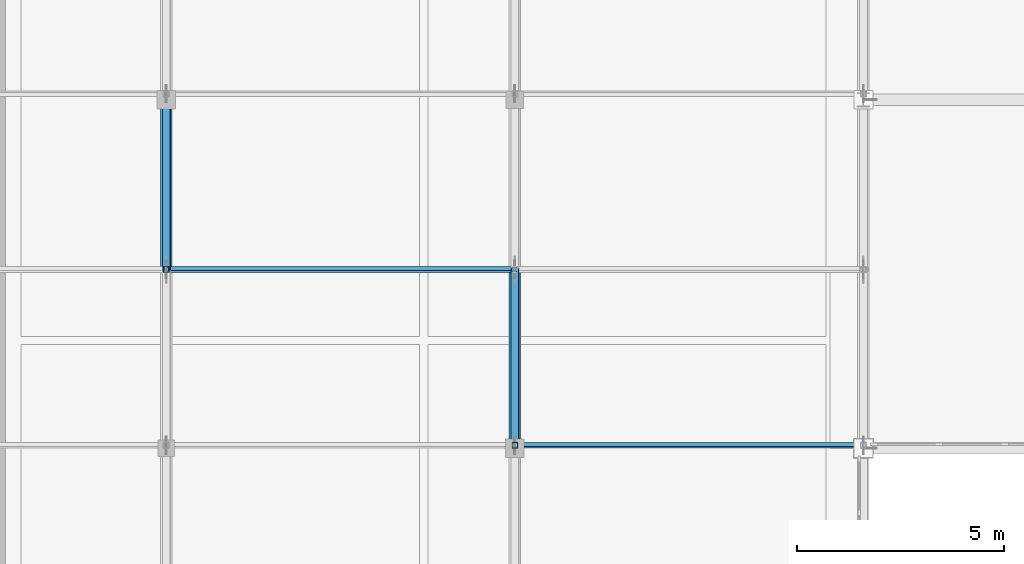
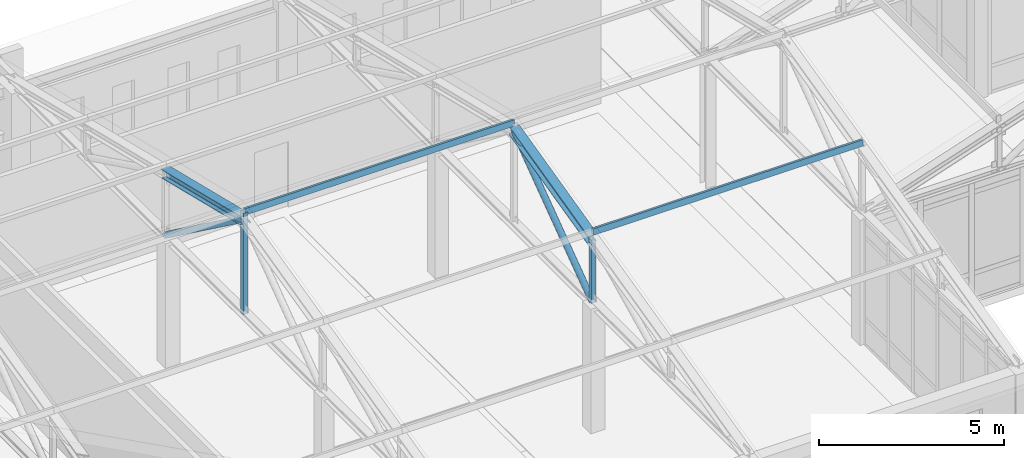
# One storey, part 29 of 192: 8 members.
"""IFC4 building model written with IfcOpenShell, lengths in metres."""

from ifc_helpers import new_model, si_unit, direction, frame, origin, origin_2d, place, context, subcontext, project, spatial, hollow_rectangle, hollow_circle, i_section, extrude, material, material_profile, profile_set, type_object, element, save


model = new_model("IFC4")

# Units and contexts
model_context = context("Model", 3, precision=1e-05, world=origin(), true_north=direction((0.0, 1.0)))
body_context = subcontext(model_context, "Body", "Model", "MODEL_VIEW")
ifc_project = project(units=[si_unit("LENGTHUNIT", "METRE"), si_unit("AREAUNIT", "SQUARE_METRE"), si_unit("VOLUMEUNIT", "CUBIC_METRE"), si_unit("PLANEANGLEUNIT", "RADIAN"), si_unit("MASSUNIT", "GRAM", prefix="KILO")], contexts=[model_context])

# Site, building, storey
site_placement = place(None, origin())
site = spatial("IfcSite", under=ifc_project, at=site_placement, CompositionType="ELEMENT")
building_placement = place(site_placement, origin())
building = spatial("IfcBuilding", under=site, at=building_placement, Name="Kveldsbrygga Polytechnic", CompositionType="ELEMENT")
storey_placement = place(building_placement, frame((0.0, 0.0, 5.43994140625)))
storey = spatial("IfcBuildingStorey", under=building, at=storey_placement, Name="L01", CompositionType="ELEMENT", Elevation=5.43994140625)

# Members
ifc_material = material(Name="Steel S355", Category="steel")
ifc_material_profile_1 = material_profile(ifc_material, hollow_rectangle(XDim=0.10009765625, YDim=0.179931640625, WallThickness=0.008056640625, at=origin_2d()), Name="RHS 180x100x8.0")
ifc_profile_set_1 = profile_set([ifc_material_profile_1], Name="Steel S355")
member_type_1 = type_object("IfcMemberType", Name="PRL-RHS180", PredefinedType="PURLIN", material=ifc_profile_set_1)
for number, where, z_axis, x_axis, name in (
    (1, (33.60009765625, 12.7099609375, 7.456787109375), (1.0, 0.0, 0.0), (0.0, 0.971520177509, -0.236956841415), "Roof Purlin V5S-PRL-5-3"),
    (2, (42.0, 8.473388671875, 6.423583984375), (1.0, 0.0, 0.0), (0.0, 0.971520177509, -0.236956841415), "Roof Purlin V5S-PRL-6-2"),
):
    element("IfcMember", number, at=place(storey_placement, frame(where, z_axis=z_axis, x_axis=x_axis)), inside=storey, type_object=member_type_1, Name=name, PredefinedType="PURLIN", context=body_context, shape_type="SweptSolid", body=[
        extrude(hollow_rectangle(XDim=0.10009765625, YDim=0.179931640625, WallThickness=0.008056640625, at=origin_2d()), origin(), (0.0, 0.0, 1.0), 8.39990234375),
    ])
ifc_material_profile_2 = material_profile(ifc_material, hollow_circle(Radius=0.096923828125, WallThickness=0.010009765625, at=origin_2d()), Name="CHS 193.7x10.0")
ifc_profile_set_2 = profile_set([ifc_material_profile_2], Name="Steel S355")
member_type_2 = type_object("IfcMemberType", Name="TR-DIAG-CHS194", PredefinedType="BRACE", material=ifc_profile_set_2)
member_1_placement = place(storey_placement, frame((33.60009765625, 12.7099609375, 7.219970703125), z_axis=(0.0, 0.807053568691, -0.590478227594), x_axis=(-1.0, 0.0, 0.0)))
element("IfcMember", 3, at=member_1_placement, inside=storey, type_object=member_type_2, Name="Truss Diagonal V5S-T05-DG-4", PredefinedType="BRACE", context=body_context, shape_type="SweptSolid", body=[
    extrude(hollow_circle(Radius=0.096923828125, WallThickness=0.010009765625, at=origin_2d()), origin(), (0.0, 0.0, 1.0), 5.249755859375),
])
member_2_placement = place(storey_placement, frame((42.0, 8.473388671875, 4.1201171875), z_axis=(0.0, 0.807037353017, 0.590500390207), x_axis=(-1.0, 0.0, 0.0)))
element("IfcMember", 4, at=member_2_placement, inside=storey, type_object=member_type_2, Name="Truss Diagonal V5S-T06-DG-3", PredefinedType="BRACE", context=body_context, shape_type="SweptSolid", body=[
    extrude(hollow_circle(Radius=0.096923828125, WallThickness=0.010009765625, at=origin_2d()), origin(), (0.0, 0.0, 1.0), 5.24951171875),
])
ifc_material_profile_3 = material_profile(ifc_material, hollow_rectangle(XDim=0.139892578125, YDim=0.139892578125, WallThickness=0.008056640625, at=origin_2d()), Name="SHS 140x140x8.0")
ifc_profile_set_3 = profile_set([ifc_material_profile_3], Name="Steel S355")
member_type_3 = type_object("IfcMemberType", Name="TR-POST-SHS140", PredefinedType="STRUT", material=ifc_profile_set_3)
member_3_placement = place(storey_placement, frame((33.60009765625, 12.7099609375, 4.1201171875), z_axis=(0.0, 0.0, 1.0), x_axis=(1.0, 0.0, 0.0)))
element("IfcMember", 5, at=member_3_placement, inside=storey, type_object=member_type_3, Name="Truss Vertical V5S-T05-VT-3", PredefinedType="STRUT", context=body_context, shape_type="SweptSolid", body=[
    extrude(hollow_rectangle(XDim=0.139892578125, YDim=0.139892578125, WallThickness=0.008056640625, at=origin_2d()), origin(), (0.0, 0.0, 1.0), 3.336669921875),
])
member_4_placement = place(storey_placement, frame((42.0, 8.473388671875, 4.1201171875), z_axis=(0.0, 0.0, 1.0), x_axis=(1.0, 0.0, 0.0)))
element("IfcMember", 6, at=member_4_placement, inside=storey, type_object=member_type_3, Name="Truss Vertical V5S-T06-VT-2", PredefinedType="STRUT", context=body_context, shape_type="SweptSolid", body=[
    extrude(hollow_rectangle(XDim=0.139892578125, YDim=0.139892578125, WallThickness=0.008056640625, at=origin_2d()), origin(), (0.0, 0.0, 1.0), 2.066650390625),
])
ifc_material_profile_4 = material_profile(ifc_material, i_section(OverallWidth=0.280029296875, OverallDepth=0.280029296875, WebThickness=0.010498046875, FlangeThickness=0.01806640625, FilletRadius=0.02392578125, at=origin_2d()), Name="HEB 280")
ifc_profile_set_4 = profile_set([ifc_material_profile_4], Name="Steel S355")
member_type_4 = type_object("IfcMemberType", Name="TR-TOP-HEB280", PredefinedType="CHORD", material=ifc_profile_set_4)
member_5_placement = place(storey_placement, frame((33.60009765625, 12.7099609375, 7.219970703125), z_axis=(0.0, 0.971529139484, -0.236920094405), x_axis=(-1.0, 0.0, 0.0)))
element("IfcMember", 7, at=member_5_placement, inside=storey, type_object=member_type_4, Name="Truss Top Chord V5S-T05-TC-4", PredefinedType="CHORD", context=body_context, shape_type="SweptSolid", body=[
    extrude(i_section(OverallWidth=0.280029296875, OverallDepth=0.280029296875, WebThickness=0.010498046875, FlangeThickness=0.01806640625, FilletRadius=0.02392578125, at=origin_2d()), origin(), (0.0, 0.0, 1.0), 4.361083984375),
])
member_6_placement = place(storey_placement, frame((42.0, 8.473388671875, 6.186767578125), z_axis=(0.0, 0.971525996838, 0.236932980961), x_axis=(-1.0, 0.0, 0.0)))
element("IfcMember", 8, at=member_6_placement, inside=storey, type_object=member_type_4, Name="Truss Top Chord V5S-T06-TC-3", PredefinedType="CHORD", context=body_context, shape_type="SweptSolid", body=[
    extrude(i_section(OverallWidth=0.280029296875, OverallDepth=0.280029296875, WebThickness=0.010498046875, FlangeThickness=0.01806640625, FilletRadius=0.02392578125, at=origin_2d()), origin(), (0.0, 0.0, 1.0), 4.36083984375),
])

save(model, "model.ifc")
